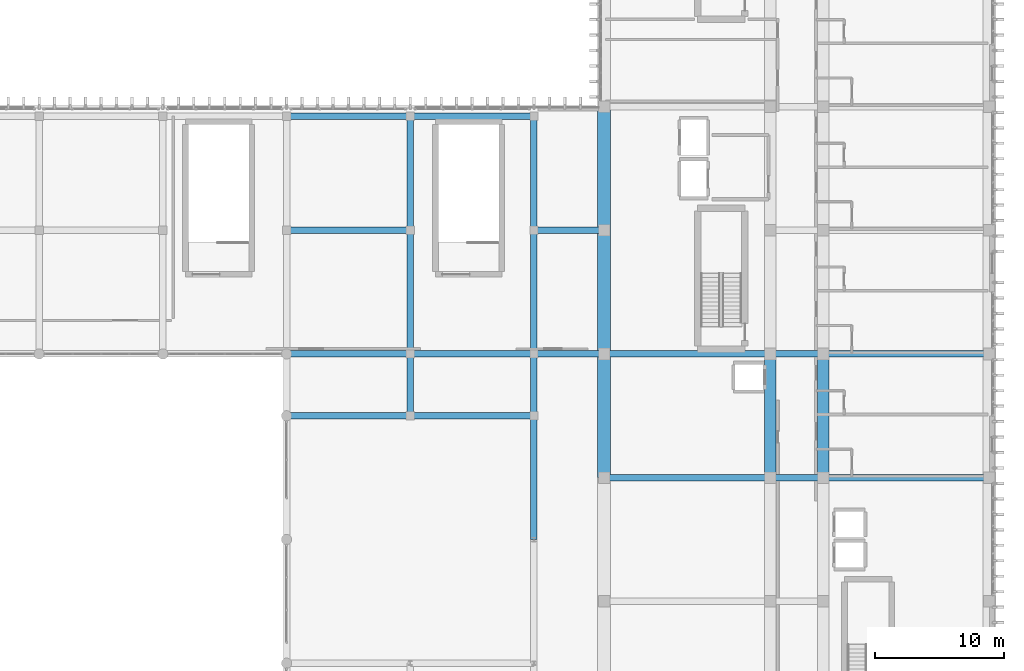
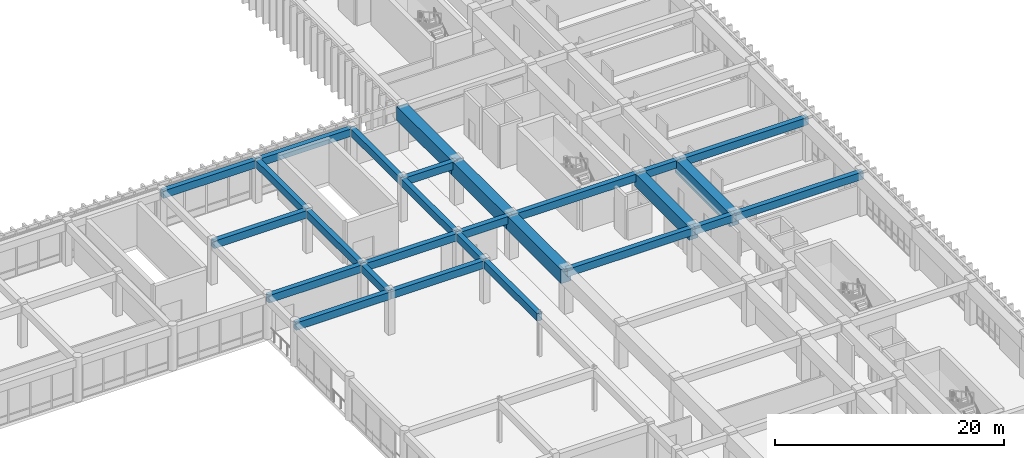
# One storey, part 44 of 101: 27 beams.
"""IFC4 building model written with IfcOpenShell, lengths in metres."""

from ifc_helpers import new_model, si_unit, direction, frame, origin, origin_2d, place, context, subcontext, project, spatial, rectangle, extrude, material, material_profile, profile_set, type_object, element, save


model = new_model("IFC4")

# Units and contexts
model_context = context("Model", 3, precision=1e-05, world=origin(), true_north=direction((0.0, 1.0)))
body_context = subcontext(model_context, "Body", "Model", "MODEL_VIEW")
ifc_project = project(units=[si_unit("LENGTHUNIT", "METRE"), si_unit("AREAUNIT", "SQUARE_METRE"), si_unit("VOLUMEUNIT", "CUBIC_METRE"), si_unit("PLANEANGLEUNIT", "RADIAN"), si_unit("MASSUNIT", "GRAM", prefix="KILO")], contexts=[model_context])

# Site, building, storey
site_placement = place(None, origin())
site = spatial("IfcSite", under=ifc_project, at=site_placement, CompositionType="ELEMENT")
building_placement = place(site_placement, origin())
building = spatial("IfcBuilding", under=site, at=building_placement, Name="Nakhvara Creek Congress Hotel", CompositionType="ELEMENT")
storey_placement = place(building_placement, frame((0.0, 0.0, 16.199951171875)))
storey = spatial("IfcBuildingStorey", under=building, at=storey_placement, Name="L03", CompositionType="ELEMENT", Elevation=16.199951171875)

# Beams
ifc_material_1 = material(Name="Concrete C40/50", Category="concrete")
ifc_material_profile_1 = material_profile(ifc_material_1, rectangle(XDim=0.5, YDim=0.800048828125, at=origin_2d()), Name="RC-BM 500x800", Category="LoadBearing")
ifc_profile_set_1 = profile_set([ifc_material_profile_1], Name="Concrete C40/50")
beam_type_1 = type_object("IfcBeamType", Name="BM-RC-500X800", PredefinedType="BEAM", material=ifc_profile_set_1)
for number, where, z_axis, x_axis, name in (
    (1, (124.800048828125, 72.0, 4.14013671875), (1.0, 0.0, 0.0), (0.0, 1.0, 0.0), "Beam B03-L03-1779"),
    (2, (124.800048828125, 76.800048828125, 4.14013671875), (1.0, 0.0, 0.0), (0.0, 1.0, 0.0), "Beam B03-L03-1781"),
    (3, (124.800048828125, 86.39990234375, 4.14013671875), (1.0, 0.0, 0.0), (0.0, 1.0, 0.0), "Beam B03-L03-1783"),
    (4, (124.800048828125, 95.25, 4.14013671875), (1.0, 0.0, 0.0), (0.0, 1.0, 0.0), "Beam B03-L03-1784"),
):
    element("IfcBeam", number, at=place(storey_placement, frame(where, z_axis=z_axis, x_axis=x_axis)), inside=storey, type_object=beam_type_1, Name=name, PredefinedType="BEAM", context=body_context, shape_type="SweptSolid", body=[
        extrude(rectangle(XDim=0.5, YDim=0.800048828125, at=origin_2d()), origin(), (0.0, 0.0, 1.0), 9.599853515625),
    ])
beam_1_placement = place(storey_placement, frame((134.39990234375, 72.0, 4.14013671875), z_axis=(0.0, 1.0, 0.0), x_axis=(-1.0, 0.0, 0.0)))
element("IfcBeam", 5, at=beam_1_placement, inside=storey, type_object=beam_type_1, Name="Beam B03-L03-1795", PredefinedType="BEAM", context=body_context, shape_type="SweptSolid", body=[
    extrude(rectangle(XDim=0.5, YDim=0.800048828125, at=origin_2d()), origin(), (0.0, 0.0, 1.0), 4.800048828125),
])
beam_2_placement = place(storey_placement, frame((134.39990234375, 72.0, 4.14013671875), z_axis=(1.0, 0.0, 0.0), x_axis=(0.0, 1.0, 0.0)))
element("IfcBeam", 6, at=beam_2_placement, inside=storey, type_object=beam_type_1, Name="Beam B03-L03-1796", PredefinedType="BEAM", context=body_context, shape_type="SweptSolid", body=[
    extrude(rectangle(XDim=0.5, YDim=0.800048828125, at=origin_2d()), origin(), (0.0, 0.0, 1.0), 9.60009765625),
])
beam_3_placement = place(storey_placement, frame((134.39990234375, 76.800048828125, 4.14013671875), z_axis=(0.0, 1.0, 0.0), x_axis=(-1.0, 0.0, 0.0)))
element("IfcBeam", 7, at=beam_3_placement, inside=storey, type_object=beam_type_1, Name="Beam B03-L03-1797", PredefinedType="BEAM", context=body_context, shape_type="SweptSolid", body=[
    extrude(rectangle(XDim=0.5, YDim=0.800048828125, at=origin_2d()), origin(), (0.0, 0.0, 1.0), 9.599853515625),
])
beam_4_placement = place(storey_placement, frame((134.39990234375, 76.800048828125, 4.14013671875), z_axis=(1.0, 0.0, 0.0), x_axis=(0.0, 1.0, 0.0)))
element("IfcBeam", 8, at=beam_4_placement, inside=storey, type_object=beam_type_1, Name="Beam B03-L03-1798", PredefinedType="BEAM", context=body_context, shape_type="SweptSolid", body=[
    extrude(rectangle(XDim=0.5, YDim=0.800048828125, at=origin_2d()), origin(), (0.0, 0.0, 1.0), 9.60009765625),
])
beam_5_placement = place(storey_placement, frame((134.39990234375, 86.39990234375, 4.14013671875), z_axis=(0.0, 1.0, 0.0), x_axis=(-1.0, 0.0, 0.0)))
element("IfcBeam", 9, at=beam_5_placement, inside=storey, type_object=beam_type_1, Name="Beam B03-L03-1799", PredefinedType="BEAM", context=body_context, shape_type="SweptSolid", body=[
    extrude(rectangle(XDim=0.5, YDim=0.800048828125, at=origin_2d()), origin(), (0.0, 0.0, 1.0), 8.85009765625),
])
for number, where, z_axis, x_axis, name in (
    (10, (134.39990234375, 95.25, 4.14013671875), (1.0, 0.0, 0.0), (0.0, 1.0, 0.0), "Beam B03-L03-1800"),
    (11, (144.0, 62.39990234375, 4.14013671875), (0.0, 1.0, 0.0), (-1.0, 0.0, 0.0), "Beam B03-L03-1813"),
):
    element("IfcBeam", number, at=place(storey_placement, frame(where, z_axis=z_axis, x_axis=x_axis)), inside=storey, type_object=beam_type_1, Name=name, PredefinedType="BEAM", context=body_context, shape_type="SweptSolid", body=[
        extrude(rectangle(XDim=0.5, YDim=0.800048828125, at=origin_2d()), origin(), (0.0, 0.0, 1.0), 9.60009765625),
    ])
beam_6_placement = place(storey_placement, frame((144.0, 72.0, 4.14013671875), z_axis=(0.0, 1.0, 0.0), x_axis=(-1.0, 0.0, 0.0)))
element("IfcBeam", 12, at=beam_6_placement, inside=storey, type_object=beam_type_1, Name="Beam B03-L03-1814", PredefinedType="BEAM", context=body_context, shape_type="SweptSolid", body=[
    extrude(rectangle(XDim=0.5, YDim=0.800048828125, at=origin_2d()), origin(), (0.0, 0.0, 1.0), 4.800048828125),
])
beam_7_placement = place(storey_placement, frame((144.0, 76.800048828125, 4.14013671875), z_axis=(0.0, 1.0, 0.0), x_axis=(-1.0, 0.0, 0.0)))
element("IfcBeam", 13, at=beam_7_placement, inside=storey, type_object=beam_type_1, Name="Beam B03-L03-1815", PredefinedType="BEAM", context=body_context, shape_type="SweptSolid", body=[
    extrude(rectangle(XDim=0.5, YDim=0.800048828125, at=origin_2d()), origin(), (0.0, 0.0, 1.0), 9.599853515625),
])
beam_8_placement = place(storey_placement, frame((144.0, 76.800048828125, 4.14013671875), z_axis=(1.0, 0.0, 0.0), x_axis=(0.0, 1.0, 0.0)))
element("IfcBeam", 14, at=beam_8_placement, inside=storey, type_object=beam_type_1, Name="Beam B03-L03-1816", PredefinedType="BEAM", context=body_context, shape_type="SweptSolid", body=[
    extrude(rectangle(XDim=0.5, YDim=0.800048828125, at=origin_2d()), origin(), (0.0, 0.0, 1.0), 5.449951171875),
])
beam_9_placement = place(storey_placement, frame((144.0, 86.39990234375, 4.14013671875), z_axis=(0.0, 1.0, 0.0), x_axis=(-1.0, 0.0, 0.0)))
element("IfcBeam", 15, at=beam_9_placement, inside=storey, type_object=beam_type_1, Name="Beam B03-L03-1817", PredefinedType="BEAM", context=body_context, shape_type="SweptSolid", body=[
    extrude(rectangle(XDim=0.5, YDim=0.800048828125, at=origin_2d()), origin(), (0.0, 0.0, 1.0), 8.85009765625),
])
beam_10_placement = place(storey_placement, frame((144.0, 86.39990234375, 4.14013671875), z_axis=(1.0, 0.0, 0.0), x_axis=(0.0, 1.0, 0.0)))
element("IfcBeam", 16, at=beam_10_placement, inside=storey, type_object=beam_type_1, Name="Beam B03-L03-1818", PredefinedType="BEAM", context=body_context, shape_type="SweptSolid", body=[
    extrude(rectangle(XDim=0.5, YDim=0.800048828125, at=origin_2d()), origin(), (0.0, 0.0, 1.0), 5.449951171875),
])
for number, where, z_axis, x_axis, name in (
    (17, (149.449951171875, 67.199951171875, 4.14013671875), (1.0, 0.0, 0.0), (0.0, 1.0, 0.0), "Beam B03-L03-1834"),
    (18, (149.449951171875, 76.800048828125, 4.14013671875), (1.0, 0.0, 0.0), (0.0, 1.0, 0.0), "Beam B03-L03-1836"),
):
    element("IfcBeam", number, at=place(storey_placement, frame(where, z_axis=z_axis, x_axis=x_axis)), inside=storey, type_object=beam_type_1, Name=name, PredefinedType="BEAM", context=body_context, shape_type="SweptSolid", body=[
        extrude(rectangle(XDim=0.5, YDim=0.800048828125, at=origin_2d()), origin(), (0.0, 0.0, 1.0), 12.900146484375),
    ])
for number, where, z_axis, x_axis, name in (
    (19, (162.35009765625, 67.199951171875, 4.14013671875), (1.0, 0.0, 0.0), (0.0, 1.0, 0.0), "Beam B03-L03-1859"),
    (20, (162.35009765625, 76.800048828125, 4.14013671875), (1.0, 0.0, 0.0), (0.0, 1.0, 0.0), "Beam B03-L03-1861"),
):
    element("IfcBeam", number, at=place(storey_placement, frame(where, z_axis=z_axis, x_axis=x_axis)), inside=storey, type_object=beam_type_1, Name=name, PredefinedType="BEAM", context=body_context, shape_type="SweptSolid", body=[
        extrude(rectangle(XDim=0.5, YDim=0.800048828125, at=origin_2d()), origin(), (0.0, 0.0, 1.0), 4.099853515625),
    ])
for number, where, z_axis, x_axis, name in (
    (21, (166.449951171875, 67.199951171875, 4.14013671875), (1.0, 0.0, 0.0), (0.0, 1.0, 0.0), "Beam B03-L03-1884"),
    (22, (166.449951171875, 76.800048828125, 4.14013671875), (1.0, 0.0, 0.0), (0.0, 1.0, 0.0), "Beam B03-L03-1886"),
):
    element("IfcBeam", number, at=place(storey_placement, frame(where, z_axis=z_axis, x_axis=x_axis)), inside=storey, type_object=beam_type_1, Name=name, PredefinedType="BEAM", context=body_context, shape_type="SweptSolid", body=[
        extrude(rectangle(XDim=0.5, YDim=0.800048828125, at=origin_2d()), origin(), (0.0, 0.0, 1.0), 12.900146484375),
    ])
ifc_material_2 = material(Name="Concrete C50/60", Category="concrete")
ifc_material_profile_2 = material_profile(ifc_material_2, rectangle(XDim=0.89990234375, YDim=1.39990234375, at=origin_2d()), Name="RC-TG 900x1400", Category="LoadBearing")
ifc_profile_set_2 = profile_set([ifc_material_profile_2], Name="Concrete C50/60")
beam_type_2 = type_object("IfcBeamType", Name="BM-TG1-1400", PredefinedType="BEAM", material=ifc_profile_set_2)
for number, where, z_axis, x_axis, name in (
    (23, (162.35009765625, 67.199951171875, 3.840087890625), (0.0, 1.0, 0.0), (-1.0, 0.0, 0.0), "Transfer Girder TG1-L03-1858"),
    (24, (166.449951171875, 67.199951171875, 3.840087890625), (0.0, 1.0, 0.0), (-1.0, 0.0, 0.0), "Transfer Girder TG1-L03-1883"),
):
    element("IfcBeam", number, at=place(storey_placement, frame(where, z_axis=z_axis, x_axis=x_axis)), inside=storey, type_object=beam_type_2, Name=name, PredefinedType="BEAM", context=body_context, shape_type="SweptSolid", body=[
        extrude(rectangle(XDim=0.89990234375, YDim=1.39990234375, at=origin_2d()), origin(), (0.0, 0.0, 1.0), 9.60009765625),
    ])
ifc_material_profile_3 = material_profile(ifc_material_2, rectangle(XDim=1.0, YDim=1.5, at=origin_2d()), Name="RC-TG 1000x1500", Category="LoadBearing")
ifc_profile_set_3 = profile_set([ifc_material_profile_3], Name="Concrete C50/60")
beam_type_3 = type_object("IfcBeamType", Name="BM-TG2-1500", PredefinedType="BEAM", material=ifc_profile_set_3)
beam_11_placement = place(storey_placement, frame((149.449951171875, 67.199951171875, 3.7900390625), z_axis=(0.0, 1.0, 0.0), x_axis=(-1.0, 0.0, 0.0)))
element("IfcBeam", 25, at=beam_11_placement, inside=storey, type_object=beam_type_3, Name="Transfer Girder TG2-L03-1833", PredefinedType="BEAM", context=body_context, shape_type="SweptSolid", body=[
    extrude(rectangle(XDim=1.0, YDim=1.5, at=origin_2d()), origin(), (0.0, 0.0, 1.0), 9.60009765625),
])
beam_12_placement = place(storey_placement, frame((149.449951171875, 76.800048828125, 3.7900390625), z_axis=(0.0, 1.0, 0.0), x_axis=(-1.0, 0.0, 0.0)))
element("IfcBeam", 26, at=beam_12_placement, inside=storey, type_object=beam_type_3, Name="Transfer Girder TG2-L03-1835", PredefinedType="BEAM", context=body_context, shape_type="SweptSolid", body=[
    extrude(rectangle(XDim=1.0, YDim=1.5, at=origin_2d()), origin(), (0.0, 0.0, 1.0), 9.599853515625),
])
beam_13_placement = place(storey_placement, frame((149.449951171875, 86.39990234375, 3.7900390625), z_axis=(0.0, 1.0, 0.0), x_axis=(-1.0, 0.0, 0.0)))
element("IfcBeam", 27, at=beam_13_placement, inside=storey, type_object=beam_type_3, Name="Transfer Girder TG2-L03-1837", PredefinedType="BEAM", context=body_context, shape_type="SweptSolid", body=[
    extrude(rectangle(XDim=1.0, YDim=1.5, at=origin_2d()), origin(), (0.0, 0.0, 1.0), 9.60009765625),
])

save(model, "model.ifc")
